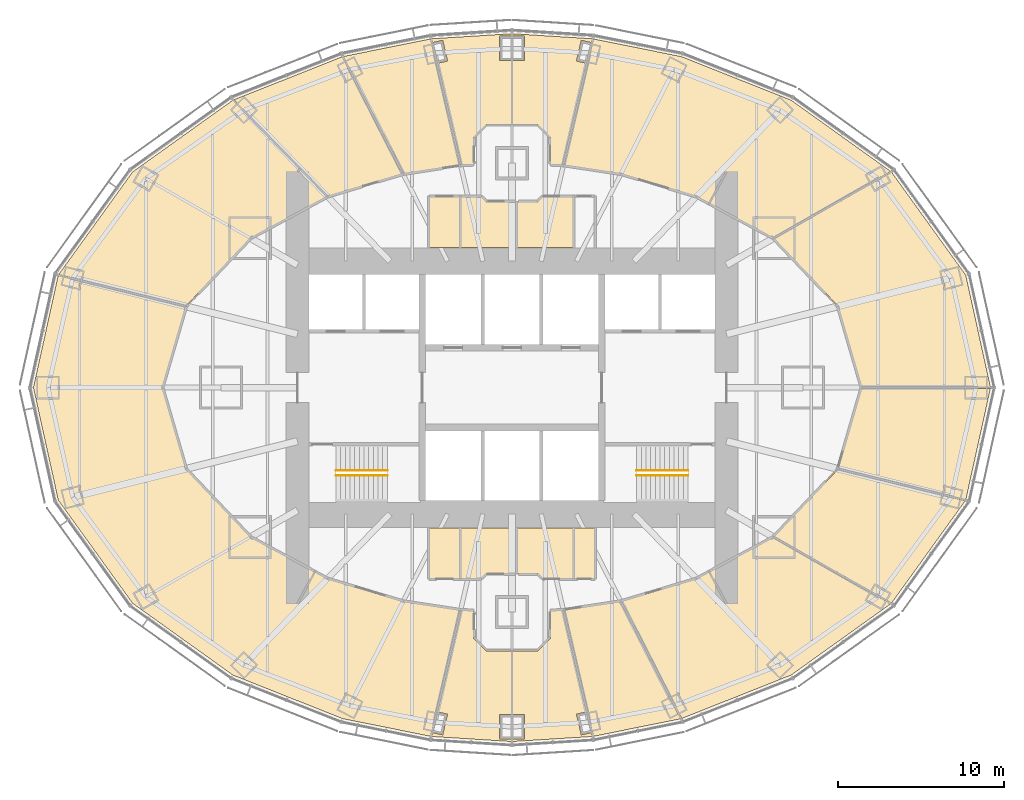
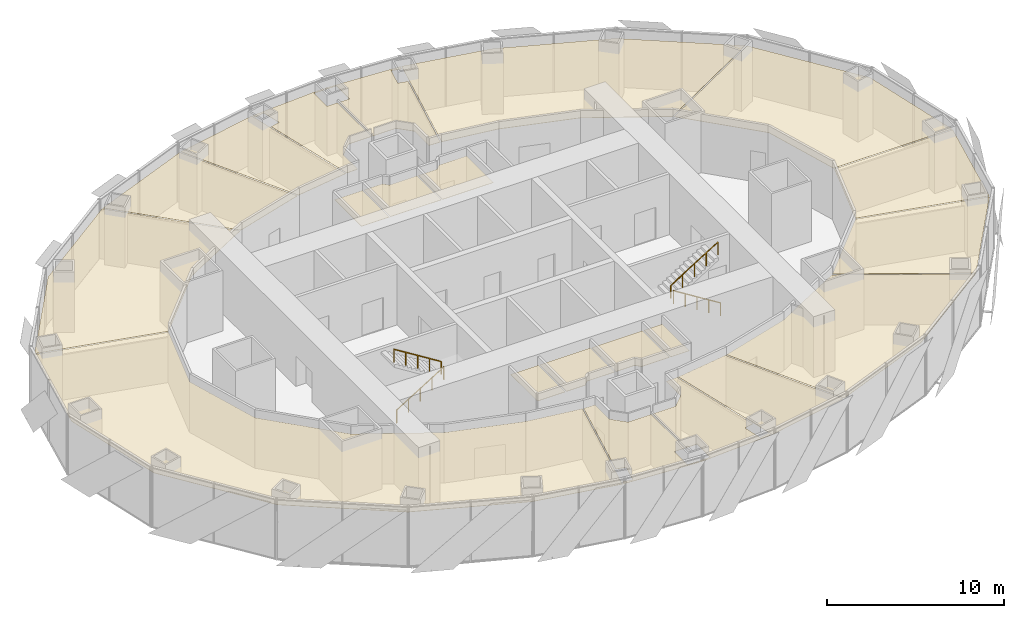
# One storey, part 18 of 18: 21 coverings, 4 railings.
"""IFC4 building model written with IfcOpenShell, lengths in metres."""

import ifcopenshell
import ifcopenshell.guid

model = None  # the IFC model being written
_history = None  # IfcOwnerHistory: only IFC2X3 demands one
_inside = {}  # id of a spatial element -> (the spatial element, [elements in it])
_under = {}  # id of a project, library or spatial element -> (it, [spatial elements below it])
_declared = {}  # id of a project -> (the project, [libraries it declares])
_typed = {}  # id of a type object -> (the type object, [elements of that type])
_made_of = {}  # id of a material, layer set ... -> (it, [elements and type objects made of it])


def new_model(schema):
    """Start an empty IFC model of exactly this schema.

    Asked for "IFC4X3", IfcOpenShell would pick the latest addendum, in which some entities
    have other attributes; the version numbers below select the first issue.
    IFC2X3 requires an IfcOwnerHistory on every rooted entity: one is made here for all.
    """
    global model, _history
    if schema == "IFC4X3":
        model = ifcopenshell.file(schema_version=(4, 3, 0, 0))
    else:
        model = ifcopenshell.file(schema=schema)
    _inside.clear()
    _under.clear()
    _declared.clear()
    _typed.clear()
    _made_of.clear()
    _history = None
    if model.schema == "IFC2X3":
        org = make("IfcOrganization", Name="unknown")
        user = make(
            "IfcPersonAndOrganization",
            ThePerson=make("IfcPerson", FamilyName="unknown"),
            TheOrganization=org,
        )
        app = make(
            "IfcApplication",
            ApplicationDeveloper=org,
            Version="unknown",
            ApplicationFullName="unknown",
            ApplicationIdentifier="unknown",
        )
        _history = make(
            "IfcOwnerHistory",
            OwningUser=user,
            OwningApplication=app,
            ChangeAction="ADDED",
            CreationDate=0,
        )
    return model


def make(cls, **values):
    """One entity of the class cls with the attributes given. An attribute that is None is left unset."""
    return model.create_entity(
        cls, **{name: value for name, value in values.items() if value is not None}
    )


def rooted(cls, **values):
    """An entity with a GlobalId (a new one), such as an element, a storey or a relation."""
    return make(cls, GlobalId=ifcopenshell.guid.new(), OwnerHistory=_history, **values)


def si_unit(unit_type, name, prefix=None):
    """IfcSIUnit, for example si_unit("LENGTHUNIT", "METRE", prefix="MILLI")."""
    return make("IfcSIUnit", UnitType=unit_type, Prefix=prefix, Name=name)


def assignment(units):
    """IfcUnitAssignment: the units of a project."""
    return None if units is None else make("IfcUnitAssignment", Units=units)


def point(xyz):
    """IfcCartesianPoint."""
    return None if xyz is None else make("IfcCartesianPoint", Coordinates=xyz)


def direction(xyz):
    """IfcDirection."""
    return None if xyz is None else make("IfcDirection", DirectionRatios=xyz)


def frame(location, z_axis=None, x_axis=None):
    """IfcAxis2Placement3D, a coordinate frame: its origin and axes. An axis left out is left unset."""
    return make(
        "IfcAxis2Placement3D",
        Location=point(location),
        Axis=direction(z_axis),
        RefDirection=direction(x_axis),
    )


def frame_2d(location, x_axis=None):
    """IfcAxis2Placement2D, a coordinate frame in the plane: its origin and x axis."""
    return make(
        "IfcAxis2Placement2D", Location=point(location), RefDirection=direction(x_axis)
    )


def origin():
    """The frame at (0, 0, 0) with its axes left unset."""
    return frame((0.0, 0.0, 0.0))


def origin_2d():
    """The frame at (0, 0) in the plane with its x axis left unset."""
    return frame_2d((0.0, 0.0))


def place(relative_to, where):
    """IfcLocalPlacement: puts the frame where relative to a parent placement (None: the world)."""
    return make(
        "IfcLocalPlacement", PlacementRelTo=relative_to, RelativePlacement=where
    )


def context(
    kind, dimensions, precision=None, world=None, true_north=None, identifier=None
):
    """IfcGeometricRepresentationContext, for example the 3D "Model" context."""
    return make(
        "IfcGeometricRepresentationContext",
        ContextIdentifier=identifier,
        ContextType=kind,
        CoordinateSpaceDimension=dimensions,
        Precision=precision,
        WorldCoordinateSystem=world,
        TrueNorth=true_north,
    )


def subcontext(parent, identifier, kind, view, scale=None):
    """IfcGeometricRepresentationSubContext, for example "Body" below "Model"."""
    return make(
        "IfcGeometricRepresentationSubContext",
        ContextIdentifier=identifier,
        ContextType=kind,
        ParentContext=parent,
        TargetScale=scale,
        TargetView=view,
    )


def project(units=None, contexts=None):
    """IfcProject with its units and contexts."""
    return rooted(
        "IfcProject",
        Name="project",
        RepresentationContexts=contexts,
        UnitsInContext=assignment(units),
    )


def spatial(cls, under=None, at=None, **own):
    """A site, building, storey or space (cls), placed at a placement, below another one or the project."""
    s = rooted(cls, ObjectPlacement=at, **own)
    if under is not None:
        _under.setdefault(under.id(), (under, []))[1].append(s)
    return s


def polyline(points):
    """IfcPolyline through the points."""
    return make("IfcPolyline", Points=[point(p) for p in points])


def profile(cls, at=None, kind="AREA", **sizes):
    """A parametric profile (cls). Its sizes go by their IFC names, for example OverallWidth=200.0."""
    return make(cls, ProfileType=kind, Position=at, **sizes)


def circle(**sizes):
    """IfcCircleProfileDef."""
    return profile("IfcCircleProfileDef", **sizes)


def outline(outer, holes=None, kind="AREA"):
    """IfcArbitraryClosedProfileDef: a profile drawn as a closed curve; with holes, ...WithVoids."""
    if holes is None:
        return make("IfcArbitraryClosedProfileDef", ProfileType=kind, OuterCurve=outer)
    return make(
        "IfcArbitraryProfileDefWithVoids",
        ProfileType=kind,
        OuterCurve=outer,
        InnerCurves=holes,
    )


def extrude(swept, where, along, depth):
    """IfcExtrudedAreaSolid: the profile swept, set in the frame where, extruded along a direction by depth."""
    return make(
        "IfcExtrudedAreaSolid",
        SweptArea=swept,
        Position=where,
        ExtrudedDirection=direction(along),
        Depth=depth,
    )


def shape(context_of_items, identifier, shape_type, items):
    """IfcShapeRepresentation: the items that make up one representation, for example the "Body"."""
    return make(
        "IfcShapeRepresentation",
        ContextOfItems=context_of_items,
        RepresentationIdentifier=identifier,
        RepresentationType=shape_type,
        Items=items,
    )


def material(Name=None, Category=None):
    """IfcMaterial."""
    return make("IfcMaterial", Name=Name, Category=Category)


def layer(
    of_material, thickness, ventilated=None, Name=None, Category=None, Priority=None
):
    """IfcMaterialLayer: one layer of a wall or slab, of a material (None: an air gap)."""
    return make(
        "IfcMaterialLayer",
        Material=of_material,
        LayerThickness=thickness,
        IsVentilated=ventilated,
        Name=Name,
        Category=Category,
        Priority=Priority,
    )


def layer_set(layers, Name=None):
    """IfcMaterialLayerSet."""
    return make("IfcMaterialLayerSet", MaterialLayers=layers, LayerSetName=Name)


def made_of(thing, what):
    """Note that an element or type object is made of a material, layer set ...; save() writes the relation."""
    if what is not None:
        _made_of.setdefault(what.id(), (what, []))[1].append(thing)
    return thing


def type_object(cls, material=None, **own):
    """A type object (cls), such as IfcWallType, which elements share."""
    return made_of(rooted(cls, **own), material)


def element(
    cls,
    number,
    at=None,
    inside=None,
    cuts=None,
    type_object=None,
    material=None,
    context=None,
    identifier="Body",
    shape_type=None,
    held_by="IfcProductDefinitionShape",
    body=None,
    shapes=None,
    **own,
):
    """One element of the class cls, such as IfcWall. Its Tag is "e" and its number.

    at: its placement. inside: the storey or other place that contains it. cuts: it is an
    opening in that element (IfcRelVoidsElement). A single representation is given by context,
    identifier, shape_type and body (its items); several are given by shapes. held_by: the class
    of the entity that holds the representations. save() writes the other relations.
    """
    e = rooted(cls, Tag="e%d" % number, ObjectPlacement=at, **own)
    if body is not None:
        shapes = [shape(context, identifier, shape_type, body)]
    if shapes is not None:
        e.Representation = make(held_by, Representations=shapes)
    if inside is not None:
        _inside.setdefault(inside.id(), (inside, []))[1].append(e)
    if cuts is not None:
        rooted(
            "IfcRelVoidsElement", RelatingBuildingElement=cuts, RelatedOpeningElement=e
        )
    if type_object is not None:
        _typed.setdefault(type_object.id(), (type_object, []))[1].append(e)
    return made_of(e, material)


def aggregate(whole, parts):
    """IfcRelAggregates: a whole, such as a stair, and the parts it consists of."""
    return rooted("IfcRelAggregates", RelatingObject=whole, RelatedObjects=parts)


def save(model, path):
    """Write the relations noted so far, then the file.

    IfcRelAggregates (storeys below a building ...), IfcRelContainedInSpatialStructure (elements
    in a storey), IfcRelDefinesByType, IfcRelAssociatesMaterial and IfcRelDeclares: one each for
    every whole, place, type object, material and project.
    """
    for whole, parts in _under.values():
        aggregate(whole, parts)
    for where, things in _inside.values():
        rooted(
            "IfcRelContainedInSpatialStructure",
            RelatedElements=things,
            RelatingStructure=where,
        )
    for kind, things in _typed.values():
        rooted("IfcRelDefinesByType", RelatedObjects=things, RelatingType=kind)
    for what, things in _made_of.values():
        rooted("IfcRelAssociatesMaterial", RelatedObjects=things, RelatingMaterial=what)
    for by, libraries in _declared.values():
        rooted("IfcRelDeclares", RelatingContext=by, RelatedDefinitions=libraries)
    model.write(path)


model = new_model("IFC4")

# Units and contexts
model_context = context("Model", 3, precision=1e-05, world=origin(), true_north=direction((0.0, 1.0)))
body_context = subcontext(model_context, "Body", "Model", "MODEL_VIEW")
ifc_project = project(units=[si_unit("LENGTHUNIT", "METRE"), si_unit("AREAUNIT", "SQUARE_METRE"), si_unit("VOLUMEUNIT", "CUBIC_METRE"), si_unit("PLANEANGLEUNIT", "RADIAN"), si_unit("MASSUNIT", "GRAM", prefix="KILO")], contexts=[model_context])

# Site, building, storey
site_placement = place(None, origin())
site = spatial("IfcSite", under=ifc_project, at=site_placement, CompositionType="ELEMENT")
building_placement = place(site_placement, origin())
building = spatial("IfcBuilding", under=site, at=building_placement, Name="Lantaw Convention Tower", CompositionType="ELEMENT")
storey_placement = place(building_placement, frame((0.0, 0.0, 138.39990234375)))
storey = spatial("IfcBuildingStorey", under=building, at=storey_placement, Name="L32", CompositionType="ELEMENT", Elevation=138.39990234375)

# Railings
ifc_material_1 = material(Name="Stainless steel", Category="steel")
railing_type = type_object("IfcRailingType", Name="Stair handrail", PredefinedType="HANDRAIL", material=ifc_material_1)
railing_1_placement = place(storey_placement, frame((-10.580078125, -5.280029296875, 0.175048828125)))
element("IfcRailing", 1, at=railing_1_placement, inside=storey, type_object=railing_type, Name="Stair handrail S1", PredefinedType="HANDRAIL", context=body_context, shape_type="SweptSolid", body=[
    extrude(circle(Radius=0.02392578125, at=origin_2d()), frame((0.0, 0.0, 0.8759765625), z_axis=(0.847998304005, 0.0, 0.529998940003), x_axis=(0.0, 1.0, 0.0)), (0.0, 0.0, 1.0), 3.632080078125),
    extrude(circle(Radius=0.02099609375, at=origin_2d()), origin(), (0.0, 0.0, 1.0), 0.851806640625),
    extrude(circle(Radius=0.02099609375, at=origin_2d()), frame((0.77001953125, 0.0, 0.481201171875)), (0.0, 0.0, 1.0), 0.851806640625),
    extrude(circle(Radius=0.02099609375, at=origin_2d()), frame((1.5400390625, 0.0, 0.96240234375)), (0.0, 0.0, 1.0), 0.851806640625),
    extrude(circle(Radius=0.02099609375, at=origin_2d()), frame((2.31005859375, 0.0, 1.44384765625)), (0.0, 0.0, 1.0), 0.851806640625),
    extrude(circle(Radius=0.02099609375, at=origin_2d()), frame((3.080078125, 0.0, 1.925048828125)), (0.0, 0.0, 1.0), 0.851806640625),
])
for number, where, name in (
    (2, (-7.5, -4.97998046875, 2.275146484375), "Stair handrail S1"),
    (3, (10.580078125, -5.280029296875, 0.175048828125), "Stair handrail S2"),
):
    element("IfcRailing", number, at=place(storey_placement, frame(where)), inside=storey, type_object=railing_type, Name=name, PredefinedType="HANDRAIL", context=body_context, shape_type="SweptSolid", body=[
        extrude(circle(Radius=0.02392578125, at=origin_2d()), frame((0.0, 0.0, 0.8759765625), z_axis=(-0.847998304005, 0.0, 0.529998940003), x_axis=(0.0, -1.0, 0.0)), (0.0, 0.0, 1.0), 3.632080078125),
        extrude(circle(Radius=0.02099609375, at=origin_2d()), origin(), (0.0, 0.0, 1.0), 0.851806640625),
        extrude(circle(Radius=0.02099609375, at=origin_2d()), frame((-0.77001953125, 0.0, 0.481201171875)), (0.0, 0.0, 1.0), 0.851806640625),
        extrude(circle(Radius=0.02099609375, at=origin_2d()), frame((-1.5400390625, 0.0, 0.96240234375)), (0.0, 0.0, 1.0), 0.851806640625),
        extrude(circle(Radius=0.02099609375, at=origin_2d()), frame((-2.31005859375, 0.0, 1.44384765625)), (0.0, 0.0, 1.0), 0.851806640625),
        extrude(circle(Radius=0.02099609375, at=origin_2d()), frame((-3.080078125, 0.0, 1.925048828125)), (0.0, 0.0, 1.0), 0.851806640625),
    ])
railing_2_placement = place(storey_placement, frame((7.5, -4.97998046875, 2.275146484375)))
element("IfcRailing", 4, at=railing_2_placement, inside=storey, type_object=railing_type, Name="Stair handrail S2", PredefinedType="HANDRAIL", context=body_context, shape_type="SweptSolid", body=[
    extrude(circle(Radius=0.02392578125, at=origin_2d()), frame((0.0, 0.0, 0.8759765625), z_axis=(0.847998304005, 0.0, 0.529998940003), x_axis=(0.0, 1.0, 0.0)), (0.0, 0.0, 1.0), 3.632080078125),
    extrude(circle(Radius=0.02099609375, at=origin_2d()), origin(), (0.0, 0.0, 1.0), 0.851806640625),
    extrude(circle(Radius=0.02099609375, at=origin_2d()), frame((0.77001953125, 0.0, 0.481201171875)), (0.0, 0.0, 1.0), 0.851806640625),
    extrude(circle(Radius=0.02099609375, at=origin_2d()), frame((1.5400390625, 0.0, 0.96240234375)), (0.0, 0.0, 1.0), 0.851806640625),
    extrude(circle(Radius=0.02099609375, at=origin_2d()), frame((2.31005859375, 0.0, 1.44384765625)), (0.0, 0.0, 1.0), 0.851806640625),
    extrude(circle(Radius=0.02099609375, at=origin_2d()), frame((3.080078125, 0.0, 1.925048828125)), (0.0, 0.0, 1.0), 0.851806640625),
])

# Coverings
ifc_material_2 = material(Name="Gypsum board on steel suspension grid", Category="steel")
ifc_layer = layer(ifc_material_2, 0.02001953125)
ifc_layer_set = layer_set([ifc_layer], Name="Suspended ceiling")
covering_type = type_object("IfcCoveringType", Name="Suspended ceiling", PredefinedType="CEILING", material=ifc_layer_set)
covering_1_placement = place(storey_placement, frame((0.0, 0.0, 3.4501953125)))
element("IfcCovering", 5, at=covering_1_placement, inside=storey, type_object=covering_type, Name="Accessible WC ceiling", PredefinedType="CEILING", context=body_context, shape_type="SweptSolid", body=[
    extrude(outline(polyline([(-4.9599609375, 8.43994140625), (-3.139892578125, 8.43994140625), (-3.139892578125, 11.471923828125), (-4.9599609375, 11.471923828125), (-4.9599609375, 8.43994140625)])), origin(), (0.0, 0.0, 1.0), 0.02001953125),
])
covering_2_placement = place(storey_placement, frame((0.0, 0.0, 3.4501953125)))
element("IfcCovering", 6, at=covering_2_placement, inside=storey, type_object=covering_type, Name="Male WC ceiling", PredefinedType="CEILING", context=body_context, shape_type="SweptSolid", body=[
    extrude(outline(polyline([(-3.06005859375, 11.471923828125), (-3.06005859375, 8.43994140625), (0.260009765625, 8.43994140625), (0.260009765625, 11.175048828125), (-1.548828125, 11.175048828125), (-1.845947265625, 11.471923828125), (-3.06005859375, 11.471923828125)])), origin(), (0.0, 0.0, 1.0), 0.02001953125),
])
covering_3_placement = place(storey_placement, frame((0.0, 0.0, 3.4501953125)))
element("IfcCovering", 7, at=covering_3_placement, inside=storey, type_object=covering_type, Name="Female WC ceiling", PredefinedType="CEILING", context=body_context, shape_type="SweptSolid", body=[
    extrude(outline(polyline([(0.340087890625, 11.175048828125), (0.340087890625, 8.43994140625), (3.659912109375, 8.43994140625), (3.659912109375, 11.471923828125), (1.845947265625, 11.471923828125), (1.548828125, 11.175048828125), (0.340087890625, 11.175048828125)])), origin(), (0.0, 0.0, 1.0), 0.02001953125),
])
covering_4_placement = place(storey_placement, frame((0.0, 0.0, 3.4501953125)))
element("IfcCovering", 8, at=covering_4_placement, inside=storey, type_object=covering_type, Name="Accessible WC ceiling", PredefinedType="CEILING", context=body_context, shape_type="SweptSolid", body=[
    extrude(outline(polyline([(-4.9599609375, -11.471923828125), (-3.139892578125, -11.471923828125), (-3.139892578125, -8.43994140625), (-4.9599609375, -8.43994140625), (-4.9599609375, -11.471923828125)])), origin(), (0.0, 0.0, 1.0), 0.02001953125),
])
covering_5_placement = place(storey_placement, frame((0.0, 0.0, 3.4501953125)))
element("IfcCovering", 9, at=covering_5_placement, inside=storey, type_object=covering_type, Name="Male WC ceiling", PredefinedType="CEILING", context=body_context, shape_type="SweptSolid", body=[
    extrude(outline(polyline([(-3.06005859375, -8.43994140625), (-3.06005859375, -11.471923828125), (-1.845947265625, -11.471923828125), (-1.548828125, -11.175048828125), (0.260009765625, -11.175048828125), (0.260009765625, -8.43994140625), (-3.06005859375, -8.43994140625)])), origin(), (0.0, 0.0, 1.0), 0.02001953125),
])
covering_6_placement = place(storey_placement, frame((0.0, 0.0, 3.4501953125)))
element("IfcCovering", 10, at=covering_6_placement, inside=storey, type_object=covering_type, Name="Female WC ceiling", PredefinedType="CEILING", context=body_context, shape_type="SweptSolid", body=[
    extrude(outline(polyline([(0.340087890625, -8.43994140625), (0.340087890625, -11.175048828125), (1.548828125, -11.175048828125), (1.845947265625, -11.471923828125), (3.659912109375, -11.471923828125), (3.659912109375, -8.43994140625), (0.340087890625, -8.43994140625)])), origin(), (0.0, 0.0, 1.0), 0.02001953125),
])
covering_7_placement = place(storey_placement, frame((0.0, 0.0, 3.4501953125)))
element("IfcCovering", 11, at=covering_7_placement, inside=storey, type_object=covering_type, Name="Pantry ceiling", PredefinedType="CEILING", context=body_context, shape_type="SweptSolid", body=[
    extrude(outline(polyline([(3.739990234375, -11.471923828125), (4.9599609375, -11.471923828125), (4.9599609375, -8.43994140625), (3.739990234375, -8.43994140625), (3.739990234375, -11.471923828125)])), origin(), (0.0, 0.0, 1.0), 0.02001953125),
])
covering_8_placement = place(storey_placement, frame((0.0, 0.0, 3.4501953125)))
element("IfcCovering", 12, at=covering_8_placement, inside=storey, type_object=covering_type, Name="Reception ceiling", PredefinedType="CEILING", context=body_context, shape_type="SweptSolid", body=[
    extrude(outline(polyline([(21.030029296875, 0.0400390625), (28.77099609375, 0.0400390625), (27.286865234375, 6.763671875), (22.832275390625, 12.947265625), (15.760009765625, 8.959228515625), (19.61474609375, 4.902099609375), (21.030029296875, 0.0400390625)])), origin(), (0.0, 0.0, 1.0), 0.02001953125),
])
covering_9_placement = place(storey_placement, frame((0.0, 0.0, 3.4501953125)))
element("IfcCovering", 13, at=covering_9_placement, inside=storey, type_object=covering_type, Name="Boardroom ceiling", PredefinedType="CEILING", context=body_context, shape_type="SweptSolid", body=[
    extrude(outline(polyline([(15.6953125, 9.0146484375), (22.76953125, 13.003662109375), (16.778076171875, 17.29150390625), (10.1865234375, 19.90576171875), (4.899658203125, 20.970947265625), (3.1318359375, 13.38671875), (6.545654296875, 12.868408203125), (11.091552734375, 11.506591796875), (15.6953125, 9.0146484375)])), origin(), (0.0, 0.0, 1.0), 0.02001953125),
])
covering_10_placement = place(storey_placement, frame((0.0, 0.0, 3.4501953125)))
element("IfcCovering", 14, at=covering_10_placement, inside=storey, type_object=covering_type, Name="Private office ceiling", PredefinedType="CEILING", context=body_context, shape_type="SweptSolid", body=[
    extrude(outline(polyline([(2.324951171875, 15.048828125), (2.324951171875, 13.4296875), (3.051513671875, 13.395263671875), (4.475341796875, 19.50244140625), (3.87744140625, 19.640380859375), (4.16552734375, 20.8876953125), (4.765869140625, 20.7490234375), (4.81982421875, 20.98095703125), (0.0400390625, 21.281982421875), (0.0400390625, 21.139892578125), (0.739990234375, 21.139892578125), (0.739990234375, 19.659912109375), (0.0400390625, 19.659912109375), (0.0400390625, 15.824951171875), (1.548828125, 15.824951171875), (2.324951171875, 15.048828125)])), origin(), (0.0, 0.0, 1.0), 0.02001953125),
])
covering_11_placement = place(storey_placement, frame((0.0, 0.0, 3.4501953125)))
element("IfcCovering", 15, at=covering_11_placement, inside=storey, type_object=covering_type, Name="Private office ceiling", PredefinedType="CEILING", context=body_context, shape_type="SweptSolid", body=[
    extrude(outline(polyline([(-4.475341796875, 19.50244140625), (-3.051513671875, 13.395263671875), (-2.324951171875, 13.4296875), (-2.324951171875, 15.048828125), (-1.548828125, 15.824951171875), (-0.0400390625, 15.824951171875), (-0.0400390625, 19.659912109375), (-0.739990234375, 19.659912109375), (-0.739990234375, 21.139892578125), (-0.0400390625, 21.139892578125), (-0.0400390625, 21.281982421875), (-4.81982421875, 20.98095703125), (-4.765869140625, 20.7490234375), (-4.16552734375, 20.8876953125), (-3.87744140625, 19.640380859375), (-4.475341796875, 19.50244140625)])), origin(), (0.0, 0.0, 1.0), 0.02001953125),
])
covering_12_placement = place(storey_placement, frame((0.0, 0.0, 3.4501953125)))
element("IfcCovering", 16, at=covering_12_placement, inside=storey, type_object=covering_type, Name="Private office ceiling", PredefinedType="CEILING", context=body_context, shape_type="SweptSolid", body=[
    extrude(outline(polyline([(-3.1318359375, 13.38671875), (-4.899658203125, 20.970947265625), (-10.13818359375, 19.91552734375), (-6.514404296875, 12.873046875), (-3.1318359375, 13.38671875)])), origin(), (0.0, 0.0, 1.0), 0.02001953125),
])
covering_13_placement = place(storey_placement, frame((0.0, 0.0, 3.4501953125)))
element("IfcCovering", 17, at=covering_13_placement, inside=storey, type_object=covering_type, Name="Private office ceiling", PredefinedType="CEILING", context=body_context, shape_type="SweptSolid", body=[
    extrude(outline(polyline([(-6.594482421875, 12.853759765625), (-10.217041015625, 19.893798828125), (-16.726806640625, 17.311767578125), (-11.064453125, 11.514892578125), (-6.594482421875, 12.853759765625)])), origin(), (0.0, 0.0, 1.0), 0.02001953125),
])
covering_14_placement = place(storey_placement, frame((0.0, 0.0, 3.4501953125)))
element("IfcCovering", 18, at=covering_14_placement, inside=storey, type_object=covering_type, Name="Director office ceiling", PredefinedType="CEILING", context=body_context, shape_type="SweptSolid", body=[
    extrude(outline(polyline([(-11.1416015625, 11.4794921875), (-16.802001953125, 17.274169921875), (-22.815185546875, 12.970947265625), (-27.257080078125, 6.80517578125), (-19.592041015625, 4.926025390625), (-15.72021484375, 9.0009765625), (-11.1416015625, 11.4794921875)])), origin(), (0.0, 0.0, 1.0), 0.02001953125),
])
covering_15_placement = place(storey_placement, frame((0.0, 0.0, 3.4501953125)))
element("IfcCovering", 19, at=covering_15_placement, inside=storey, type_object=covering_type, Name="Open office ceiling", PredefinedType="CEILING", context=body_context, shape_type="SweptSolid", body=[
    extrude(outline(polyline([(-19.629150390625, 4.852783203125), (-27.2939453125, 6.731689453125), (-28.77978515625, 0.0), (-27.286865234375, -6.763671875), (-22.815185546875, -12.970947265625), (-16.778076171875, -17.29150390625), (-10.1865234375, -19.90576171875), (-4.899658203125, -20.970947265625), (-3.1318359375, -13.38671875), (-6.545654296875, -12.868408203125), (-11.091552734375, -11.506591796875), (-15.72021484375, -9.0009765625), (-19.61474609375, -4.902099609375), (-21.041748046875, 0.0), (-19.629150390625, 4.852783203125)])), origin(), (0.0, 0.0, 1.0), 0.02001953125),
])
covering_16_placement = place(storey_placement, frame((0.0, 0.0, 3.4501953125)))
element("IfcCovering", 20, at=covering_16_placement, inside=storey, type_object=covering_type, Name="Meeting room ceiling", PredefinedType="CEILING", context=body_context, shape_type="SweptSolid", body=[
    extrude(outline(polyline([(-2.324951171875, -15.048828125), (-2.324951171875, -13.4296875), (-3.051513671875, -13.395263671875), (-4.475341796875, -19.50244140625), (-3.87744140625, -19.640380859375), (-4.16552734375, -20.8876953125), (-4.765869140625, -20.7490234375), (-4.81982421875, -20.98095703125), (-0.0400390625, -21.281982421875), (-0.0400390625, -21.139892578125), (-0.739990234375, -21.139892578125), (-0.739990234375, -19.659912109375), (-0.0400390625, -19.659912109375), (-0.0400390625, -15.824951171875), (-1.548828125, -15.824951171875), (-2.324951171875, -15.048828125)])), origin(), (0.0, 0.0, 1.0), 0.02001953125),
])
covering_17_placement = place(storey_placement, frame((0.0, 0.0, 3.4501953125)))
element("IfcCovering", 21, at=covering_17_placement, inside=storey, type_object=covering_type, Name="Meeting room ceiling", PredefinedType="CEILING", context=body_context, shape_type="SweptSolid", body=[
    extrude(outline(polyline([(4.475341796875, -19.50244140625), (3.051513671875, -13.395263671875), (2.324951171875, -13.4296875), (2.324951171875, -15.048828125), (1.548828125, -15.824951171875), (0.0400390625, -15.824951171875), (0.0400390625, -19.659912109375), (0.739990234375, -19.659912109375), (0.739990234375, -21.139892578125), (0.0400390625, -21.139892578125), (0.0400390625, -21.281982421875), (4.81982421875, -20.98095703125), (4.765869140625, -20.7490234375), (4.16552734375, -20.8876953125), (3.87744140625, -19.640380859375), (4.475341796875, -19.50244140625)])), origin(), (0.0, 0.0, 1.0), 0.02001953125),
])
covering_18_placement = place(storey_placement, frame((0.0, 0.0, 3.4501953125)))
element("IfcCovering", 22, at=covering_18_placement, inside=storey, type_object=covering_type, Name="Pantry ceiling", PredefinedType="CEILING", context=body_context, shape_type="SweptSolid", body=[
    extrude(outline(polyline([(3.1318359375, -13.38671875), (4.899658203125, -20.970947265625), (10.13818359375, -19.91552734375), (6.514404296875, -12.873046875), (3.1318359375, -13.38671875)])), origin(), (0.0, 0.0, 1.0), 0.02001953125),
])
covering_19_placement = place(storey_placement, frame((0.0, 0.0, 3.4501953125)))
element("IfcCovering", 23, at=covering_19_placement, inside=storey, type_object=covering_type, Name="Director office ceiling", PredefinedType="CEILING", context=body_context, shape_type="SweptSolid", body=[
    extrude(outline(polyline([(6.594482421875, -12.853759765625), (10.217041015625, -19.893798828125), (16.778076171875, -17.29150390625), (22.76953125, -13.003662109375), (15.6953125, -9.0146484375), (11.091552734375, -11.506591796875), (6.594482421875, -12.853759765625)])), origin(), (0.0, 0.0, 1.0), 0.02001953125),
])
covering_20_placement = place(storey_placement, frame((0.0, 0.0, 3.4501953125)))
element("IfcCovering", 24, at=covering_20_placement, inside=storey, type_object=covering_type, Name="Private office ceiling", PredefinedType="CEILING", context=body_context, shape_type="SweptSolid", body=[
    extrude(outline(polyline([(15.760009765625, -8.959228515625), (22.832275390625, -12.947265625), (27.257080078125, -6.80517578125), (19.592041015625, -4.926025390625), (15.760009765625, -8.959228515625)])), origin(), (0.0, 0.0, 1.0), 0.02001953125),
])
covering_21_placement = place(storey_placement, frame((0.0, 0.0, 3.4501953125)))
element("IfcCovering", 25, at=covering_21_placement, inside=storey, type_object=covering_type, Name="Quiet room ceiling", PredefinedType="CEILING", context=body_context, shape_type="SweptSolid", body=[
    extrude(outline(polyline([(19.629150390625, -4.852783203125), (27.2939453125, -6.731689453125), (28.77099609375, -0.0400390625), (21.030029296875, -0.0400390625), (19.629150390625, -4.852783203125)])), origin(), (0.0, 0.0, 1.0), 0.02001953125),
])

save(model, "model.ifc")
